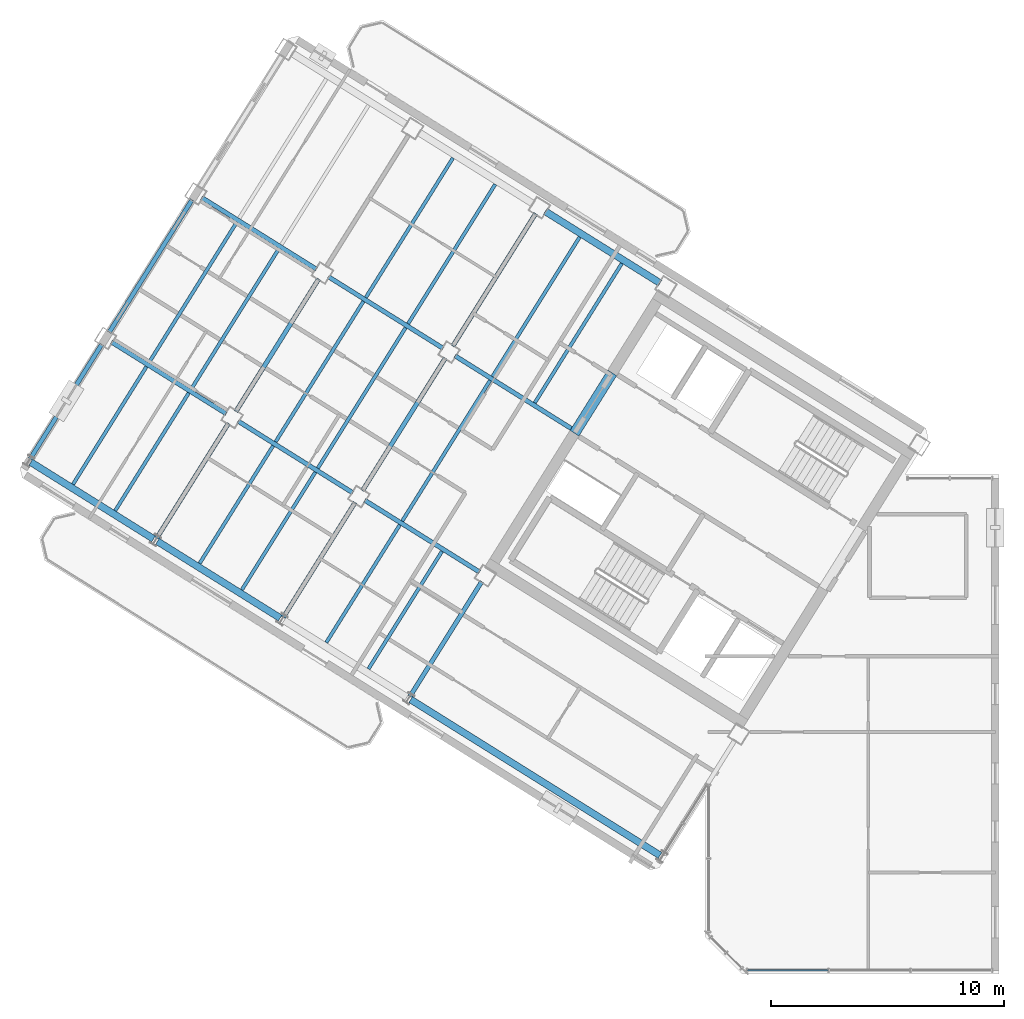
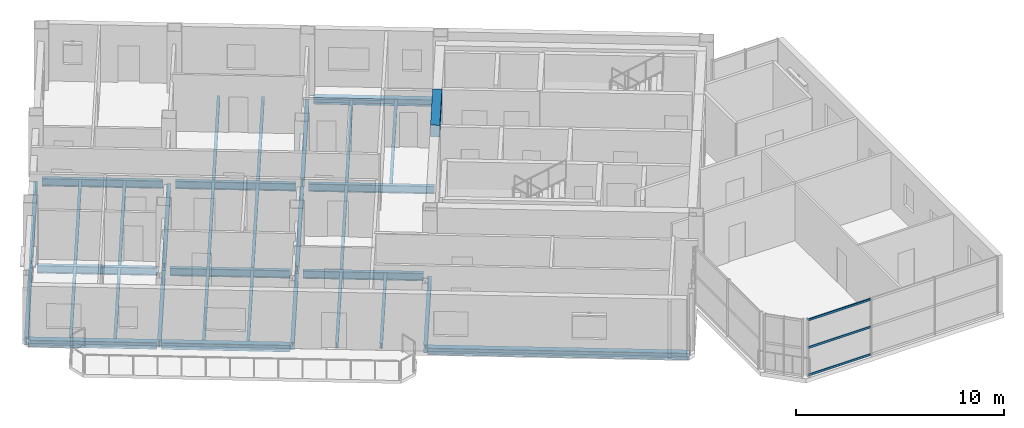
# One storey, part 4 of 15: 34 beams, 3 members, 1 element without a shape of its own.
"""IFC4 building model written with IfcOpenShell, lengths in metres."""

from ifc_helpers import new_model, si_unit, direction, frame, origin, origin_2d, place, context, subcontext, project, spatial, rectangle, hollow_rectangle, i_section, extrude, source, transform, mapped, material, material_profile, profile_set, type_object, element, aggregate, save


model = new_model("IFC4")

# Units and contexts
model_context = context("Model", 3, precision=1e-05, world=origin(), true_north=direction((0.0, 1.0)))
body_context = subcontext(model_context, "Body", "Model", "MODEL_VIEW")
ifc_project = project(units=[si_unit("LENGTHUNIT", "METRE"), si_unit("AREAUNIT", "SQUARE_METRE"), si_unit("VOLUMEUNIT", "CUBIC_METRE"), si_unit("PLANEANGLEUNIT", "RADIAN"), si_unit("MASSUNIT", "GRAM", prefix="KILO")], contexts=[model_context])

# Site, building, storey
site_placement = place(None, origin())
site = spatial("IfcSite", under=ifc_project, at=site_placement, CompositionType="ELEMENT")
building_placement = place(site_placement, origin())
building = spatial("IfcBuilding", under=site, at=building_placement, Name="Tlacorven Tower", CompositionType="ELEMENT")
storey_placement = place(building_placement, frame((0.0, 0.0, 266.39990234375)))
storey = spatial("IfcBuildingStorey", under=building, at=storey_placement, Name="L67", CompositionType="ELEMENT", Elevation=266.39990234375)

# Beams
ifc_material_1 = material(Name="Concrete C60/75", Category="concrete")
ifc_material_profile_1 = material_profile(ifc_material_1, rectangle(XDim=0.449951171875, YDim=0.699951171875, at=origin_2d()), Name="RC 450X700")
ifc_profile_set_1 = profile_set([ifc_material_profile_1], Name="Concrete C60/75")
beam_type_1 = type_object("IfcBeamType", Name="BM-LNT-700", PredefinedType="LINTEL", material=ifc_profile_set_1)
shared_shape_1 = source(origin(), body_context, "Body", "SweptSolid", [
    extrude(rectangle(XDim=0.449951171875, YDim=0.699951171875, at=origin_2d()), origin(), (0.0, 0.0, 1.0), 3.0498046875),
])
beam_1_placement = place(storey_placement, frame((27.622802734375, 27.562255859375, 3.0), z_axis=(-0.529926983584, -0.848043272522, 0.0), x_axis=(0.848043272522, -0.529926983584, 0.0)))
element("IfcBeam", 1, at=beam_1_placement, inside=storey, type_object=beam_type_1, Name="L67 W core coupling lintel beam E2", PredefinedType="LINTEL", context=body_context, shape_type="MappedRepresentation", body=[
    mapped(shared_shape_1, transform((0.0, 0.0, 0.0), scale=1.0)),
])
ifc_material_2 = material(Name="Steel S355J2", Category="steel")
ifc_material_profile_2 = material_profile(ifc_material_2, i_section(OverallWidth=0.300048828125, OverallDepth=0.389892578125, WebThickness=0.010986328125, FlangeThickness=0.01904296875, at=origin_2d()), Name="HEA 400")
ifc_profile_set_2 = profile_set([ifc_material_profile_2], Name="Steel S355J2")
beam_type_2 = type_object("IfcBeamType", Name="BM-SPN-400", PredefinedType="SPANDREL", material=ifc_profile_set_2)
shared_shape_2 = source(origin(), body_context, "Body", "SweptSolid", [
    extrude(i_section(OverallWidth=0.300048828125, OverallDepth=0.389892578125, WebThickness=0.010986328125, FlangeThickness=0.01904296875, at=origin_2d()), origin(), (0.0, 0.0, 1.0), 12.599853515625),
])
beam_2_placement = place(storey_placement, frame((29.67578125, 6.882080078125, -0.44482421875), z_axis=(-0.848045108756, 0.529924045043, 0.0), x_axis=(-0.529924045043, -0.848045108756, 0.0)))
element("IfcBeam", 2, at=beam_2_placement, inside=storey, type_object=beam_type_2, Name="L67 beam BM-L67-WL4-1", PredefinedType="SPANDREL", context=body_context, shape_type="MappedRepresentation", body=[
    mapped(shared_shape_2, transform((0.0, 0.0, 0.0), scale=1.0)),
])
shared_shape_3 = source(origin(), body_context, "Body", "SweptSolid", [
    extrude(i_section(OverallWidth=0.300048828125, OverallDepth=0.389892578125, WebThickness=0.010986328125, FlangeThickness=0.01904296875, at=origin_2d()), origin(), (0.0, 0.0, 1.0), 6.199951171875),
])
for number, where, z_axis, x_axis, name in (
    (3, (13.393310546875, 17.056396484375, -0.44482421875), (-0.848033697614, 0.529942306022, 0.0), (-0.529942306022, -0.848033697614, 0.0), "L67 beam BM-L67-WL4-4"),
    (4, (7.9658203125, 20.447998046875, -0.44482421875), (-0.848051394107, 0.529913986372, 0.0), (-0.529913986372, -0.848051394107, 0.0), "L67 beam BM-L67-WL4-5"),
):
    element("IfcBeam", number, at=place(storey_placement, frame(where, z_axis=z_axis, x_axis=x_axis)), inside=storey, type_object=beam_type_2, Name=name, PredefinedType="SPANDREL", context=body_context, shape_type="MappedRepresentation", body=[
        mapped(shared_shape_3, transform((0.0, 0.0, 0.0), scale=1.0)),
    ])
shared_shape_4 = source(origin(), body_context, "Body", "SweptSolid", [
    extrude(i_section(OverallWidth=0.300048828125, OverallDepth=0.389892578125, WebThickness=0.010986328125, FlangeThickness=0.01904296875, at=origin_2d()), origin(), (0.0, 0.0, 1.0), 5.800048828125),
])
beam_3_placement = place(storey_placement, frame((29.673583984375, 31.410400390625, -0.44482421875), z_axis=(-0.848052689693, 0.529911912967, 0.0), x_axis=(-0.529911912967, -0.848052689693, 0.0)))
element("IfcBeam", 5, at=beam_3_placement, inside=storey, type_object=beam_type_2, Name="L67 beam BM-L67-WL1-3", PredefinedType="SPANDREL", context=body_context, shape_type="MappedRepresentation", body=[
    mapped(shared_shape_4, transform((0.0, 0.0, 0.0), scale=1.0)),
])
ifc_material_profile_3 = material_profile(ifc_material_2, i_section(OverallWidth=0.14990234375, OverallDepth=0.300048828125, WebThickness=0.007080078125, FlangeThickness=0.0107421875, at=origin_2d()), Name="IPE 300")
ifc_profile_set_3 = profile_set([ifc_material_profile_3], Name="Steel S355J2")
beam_type_3 = type_object("IfcBeamType", Name="BM-JST-300", PredefinedType="JOIST", material=ifc_profile_set_3)
shared_shape_5 = source(origin(), body_context, "Body", "SweptSolid", [
    extrude(i_section(OverallWidth=0.14990234375, OverallDepth=0.300048828125, WebThickness=0.007080078125, FlangeThickness=0.0107421875, at=origin_2d()), origin(), (0.0, 0.0, 1.0), 7.10009765625),
])
for number, where, z_axis, x_axis, name in (
    (6, (22.38818359375, 27.23681640625, -0.39990234375), (-0.529915484902, -0.848050457733, 0.0), (0.848050457733, -0.529915484902, 0.0), "L67 beam BM-L67-WJ3-2-2"),
    (7, (11.533203125, 34.019775390625, -0.39990234375), (-0.529915484902, -0.848050457733, 0.0), (0.848050457733, -0.529915484902, 0.0), "L67 beam BM-L67-WJ5-2-2"),
):
    element("IfcBeam", number, at=place(storey_placement, frame(where, z_axis=z_axis, x_axis=x_axis)), inside=storey, type_object=beam_type_3, Name=name, PredefinedType="JOIST", context=body_context, shape_type="MappedRepresentation", body=[
        mapped(shared_shape_5, transform((0.0, 0.0, 0.0), scale=1.0)),
    ])
shared_shape_6 = source(origin(), body_context, "Body", "SweptSolid", [
    extrude(i_section(OverallWidth=0.14990234375, OverallDepth=0.300048828125, WebThickness=0.007080078125, FlangeThickness=0.0107421875, at=origin_2d()), origin(), (0.0, 0.0, 1.0), 7.099853515625),
])
for number, where, z_axis, x_axis, name in (
    (8, (18.769775390625, 29.497802734375, -0.39990234375), (-0.529890754507, -0.848065910344, 0.0), (0.848065910344, -0.529890754507, 0.0), "L67 beam BM-L67-WJ4-2-1"),
    (9, (16.960693359375, 30.628173828125, -0.39990234375), (-0.529930937954, -0.848040801494, 0.0), (0.848040801494, -0.529930937954, 0.0), "L67 beam BM-L67-WJ4-2-2"),
    (10, (13.34228515625, 32.88916015625, -0.39990234375), (-0.529930937954, -0.848040801494, 0.0), (0.848040801494, -0.529930937954, 0.0), "L67 beam BM-L67-WJ5-2-1"),
):
    element("IfcBeam", number, at=place(storey_placement, frame(where, z_axis=z_axis, x_axis=x_axis)), inside=storey, type_object=beam_type_3, Name=name, PredefinedType="JOIST", context=body_context, shape_type="MappedRepresentation", body=[
        mapped(shared_shape_6, transform((0.0, 0.0, 0.0), scale=1.0)),
    ])
shared_shape_7 = source(origin(), body_context, "Body", "SweptSolid", [
    extrude(i_section(OverallWidth=0.14990234375, OverallDepth=0.300048828125, WebThickness=0.007080078125, FlangeThickness=0.0107421875, at=origin_2d()), origin(), (0.0, 0.0, 1.0), 7.044921875),
])
for number, where, z_axis, x_axis, name in (
    (11, (28.03662109375, 32.25048828125, -0.39990234375), (-0.529899256491, -0.848060598053, 0.0), (0.848060598053, -0.529899256491, 0.0), "L67 beam BM-L67-WJ3-1-1"),
    (12, (26.2275390625, 33.380859375, -0.39990234375), (-0.529939753148, -0.848035292917, 0.0), (0.848035292917, -0.529939753148, 0.0), "L67 beam BM-L67-WJ3-1-2"),
    (13, (22.609130859375, 35.641845703125, -0.39990234375), (-0.52991483005, -0.848050866925, 0.0), (0.848050866925, -0.52991483005, 0.0), "L67 beam BM-L67-WJ4-1-1"),
):
    element("IfcBeam", number, at=place(storey_placement, frame(where, z_axis=z_axis, x_axis=x_axis)), inside=storey, type_object=beam_type_3, Name=name, PredefinedType="JOIST", context=body_context, shape_type="MappedRepresentation", body=[
        mapped(shared_shape_7, transform((0.0, 0.0, 0.0), scale=1.0)),
    ])
shared_shape_8 = source(origin(), body_context, "Body", "SweptSolid", [
    extrude(i_section(OverallWidth=0.14990234375, OverallDepth=0.300048828125, WebThickness=0.007080078125, FlangeThickness=0.0107421875, at=origin_2d()), origin(), (0.0, 0.0, 1.0), 5.945068359375),
])
for number, where, z_axis, x_axis, name in (
    (14, (20.3291015625, 19.91552734375, -0.39990234375), (-0.529914037113, -0.848051362401, 0.0), (0.848051362401, -0.529914037113, 0.0), "L67 beam BM-L67-WJ3-3-1"),
    (15, (18.519775390625, 21.046142578125, -0.39990234375), (-0.529914037113, -0.848051362401, 0.0), (0.848051362401, -0.529914037113, 0.0), "L67 beam BM-L67-WJ3-3-2"),
    (16, (14.9013671875, 23.30712890625, -0.39990234375), (-0.529884501938, -0.848069817059, 0.0), (0.848069817059, -0.529884501938, 0.0), "L67 beam BM-L67-WJ4-3-1"),
    (17, (9.473876953125, 26.698486328125, -0.39990234375), (-0.529914037113, -0.848051362401, 0.0), (0.848051362401, -0.529914037113, 0.0), "L67 beam BM-L67-WJ5-3-1"),
    (18, (7.664794921875, 27.8291015625, -0.39990234375), (-0.529914037113, -0.848051362401, 0.0), (0.848051362401, -0.529914037113, 0.0), "L67 beam BM-L67-WJ5-3-2"),
):
    element("IfcBeam", number, at=place(storey_placement, frame(where, z_axis=z_axis, x_axis=x_axis)), inside=storey, type_object=beam_type_3, Name=name, PredefinedType="JOIST", context=body_context, shape_type="MappedRepresentation", body=[
        mapped(shared_shape_8, transform((0.0, 0.0, 0.0), scale=1.0)),
    ])
shared_shape_9 = source(origin(), body_context, "Body", "SweptSolid", [
    extrude(i_section(OverallWidth=0.14990234375, OverallDepth=0.300048828125, WebThickness=0.007080078125, FlangeThickness=0.0107421875, at=origin_2d()), origin(), (0.0, 0.0, 1.0), 7.045166015625),
])
beam_4_placement = place(storey_placement, frame((20.800048828125, 36.7724609375, -0.39990234375), z_axis=(-0.529924179428, -0.848045024782, 0.0), x_axis=(0.848045024782, -0.529924179428, 0.0)))
element("IfcBeam", 19, at=beam_4_placement, inside=storey, type_object=beam_type_3, Name="L67 beam BM-L67-WJ4-1-2", PredefinedType="JOIST", context=body_context, shape_type="MappedRepresentation", body=[
    mapped(shared_shape_9, transform((0.0, 0.0, 0.0), scale=1.0)),
])
shared_shape_10 = source(origin(), body_context, "Body", "SweptSolid", [
    extrude(i_section(OverallWidth=0.14990234375, OverallDepth=0.300048828125, WebThickness=0.007080078125, FlangeThickness=0.0107421875, at=origin_2d()), origin(), (0.0, 0.0, 1.0), 5.94482421875),
])
beam_5_placement = place(storey_placement, frame((13.09228515625, 24.4375, -0.39990234375), z_axis=(-0.529932492401, -0.848039830136, 0.0), x_axis=(0.848039830136, -0.529932492401, 0.0)))
element("IfcBeam", 20, at=beam_5_placement, inside=storey, type_object=beam_type_3, Name="L67 beam BM-L67-WJ4-3-2", PredefinedType="JOIST", context=body_context, shape_type="MappedRepresentation", body=[
    mapped(shared_shape_10, transform((0.0, 0.0, 0.0), scale=1.0)),
])
ifc_material_profile_4 = material_profile(ifc_material_2, i_section(OverallWidth=0.18994140625, OverallDepth=0.449951171875, WebThickness=0.009521484375, FlangeThickness=0.0146484375, at=origin_2d()), Name="IPE 450")
ifc_profile_set_4 = profile_set([ifc_material_profile_4], Name="Steel S355J2")
beam_type_4 = type_object("IfcBeamType", Name="BM-TWR-450", PredefinedType="BEAM", material=ifc_profile_set_4)
shared_shape_11 = source(origin(), body_context, "Body", "SweptSolid", [
    extrude(i_section(OverallWidth=0.18994140625, OverallDepth=0.449951171875, WebThickness=0.009521484375, FlangeThickness=0.0146484375, at=origin_2d()), origin(), (0.0, 0.0, 1.0), 6.06005859375),
])
beam_6_placement = place(storey_placement, frame((26.025634765625, 25.081787109375, -0.474853515625), z_axis=(-0.848039041052, 0.529933755154, 0.0), x_axis=(-0.529933755154, -0.848039041052, 0.0)))
element("IfcBeam", 21, at=beam_6_placement, inside=storey, type_object=beam_type_4, Name="L67 beam BM-L67-WL2-3", PredefinedType="BEAM", context=body_context, shape_type="MappedRepresentation", body=[
    mapped(shared_shape_11, transform((0.0, 0.0, 0.0), scale=1.0)),
])
shared_shape_12 = source(origin(), body_context, "Body", "SweptSolid", [
    extrude(i_section(OverallWidth=0.18994140625, OverallDepth=0.449951171875, WebThickness=0.009521484375, FlangeThickness=0.0146484375, at=origin_2d()), origin(), (0.0, 0.0, 1.0), 5.800048828125),
])
for number, where, z_axis, x_axis, name in (
    (22, (20.377685546875, 28.611083984375, -0.474853515625), (-0.848052689693, 0.529911912967, 0.0), (-0.529911912967, -0.848052689693, 0.0), "L67 beam BM-L67-WL2-4"),
    (23, (14.9501953125, 32.00244140625, -0.474853515625), (-0.848033773154, 0.52994218514, 0.0), (-0.52994218514, -0.848033773154, 0.0), "L67 beam BM-L67-WL2-5"),
    (24, (21.936767578125, 19.02880859375, -0.474853515625), (-0.848052689693, 0.529911912967, 0.0), (-0.529911912967, -0.848052689693, 0.0), "L67 beam BM-L67-WL3-3"),
    (25, (16.50927734375, 22.42041015625, -0.474853515625), (-0.848052689693, 0.529911912967, 0.0), (-0.529911912967, -0.848052689693, 0.0), "L67 beam BM-L67-WL3-4"),
    (26, (11.081787109375, 25.811767578125, -0.474853515625), (-0.848052689693, 0.529911912967, 0.0), (-0.529911912967, -0.848052689693, 0.0), "L67 beam BM-L67-WL3-5"),
    (27, (22.0322265625, 18.615478515625, -0.474853515625), (-0.52994218514, -0.848033773154, 0.0), (0.848033773154, -0.52994218514, 0.0), "L67 beam BM-L67-WT3-2"),
    (28, (16.604736328125, 22.0068359375, -0.474853515625), (-0.52994218514, -0.848033773154, 0.0), (0.848033773154, -0.52994218514, 0.0), "L67 beam BM-L67-WT4-3"),
    (29, (11.17724609375, 25.3984375, -0.474853515625), (-0.52994218514, -0.848033773154, 0.0), (0.848033773154, -0.52994218514, 0.0), "L67 beam BM-L67-WT5-3"),
    (30, (5.74951171875, 28.789794921875, -0.474853515625), (-0.529911912967, -0.848052689693, 0.0), (0.848052689693, -0.529911912967, 0.0), "L67 beam BM-L67-WT6-3"),
):
    element("IfcBeam", number, at=place(storey_placement, frame(where, z_axis=z_axis, x_axis=x_axis)), inside=storey, type_object=beam_type_4, Name=name, PredefinedType="BEAM", context=body_context, shape_type="MappedRepresentation", body=[
        mapped(shared_shape_12, transform((0.0, 0.0, 0.0), scale=1.0)),
    ])
shared_shape_13 = source(origin(), body_context, "Body", "SweptSolid", [
    extrude(i_section(OverallWidth=0.18994140625, OverallDepth=0.449951171875, WebThickness=0.009521484375, FlangeThickness=0.0146484375, at=origin_2d()), origin(), (0.0, 0.0, 1.0), 6.699951171875),
])
for number, where, z_axis, x_axis, name in (
    (31, (24.341552734375, 34.388427734375, -0.474853515625), (-0.529930154818, -0.848041290867, 0.0), (0.848041290867, -0.529930154818, 0.0), "L67 beam BM-L67-WT4-1"),
    (32, (20.47314453125, 28.19775390625, -0.474853515625), (-0.529930154818, -0.848041290867, 0.0), (0.848041290867, -0.529930154818, 0.0), "L67 beam BM-L67-WT4-2"),
    (33, (15.045654296875, 31.589111328125, -0.474853515625), (-0.529930154818, -0.848041290867, 0.0), (0.848041290867, -0.529930154818, 0.0), "L67 beam BM-L67-WT5-2"),
    (34, (9.617919921875, 34.980712890625, -0.474853515625), (-0.529903948186, -0.848057666493, 0.0), (0.848057666493, -0.529903948186, 0.0), "L67 beam BM-L67-WT6-2"),
):
    element("IfcBeam", number, at=place(storey_placement, frame(where, z_axis=z_axis, x_axis=x_axis)), inside=storey, type_object=beam_type_4, Name=name, PredefinedType="BEAM", context=body_context, shape_type="MappedRepresentation", body=[
        mapped(shared_shape_13, transform((0.0, 0.0, 0.0), scale=1.0)),
    ])

# Curtain wall, members
ifc_material_3 = material(Name="Dark solar low-E double glazing in aluminium frame", Category="aluminium")
curtain_wall_type = type_object("IfcCurtainWallType", Name="CW-TWR-HIGH", PredefinedType="USERDEFINED", material=ifc_material_3)
curtain_wall_placement = place(storey_placement, origin())
curtain_wall = element("IfcCurtainWall", 35, at=curtain_wall_placement, inside=storey, type_object=curtain_wall_type, Name="L67 CW-TWR-HIGH Curtain Wall 309", ObjectType="UNITISED CURTAIN WALL", PredefinedType="USERDEFINED")
ifc_material_4 = material(Name="Aluminium 6063-T6 anodised", Category="aluminium")
ifc_material_profile_5 = material_profile(ifc_material_4, hollow_rectangle(XDim=0.054931640625, YDim=0.1201171875, WallThickness=0.00341796875, at=origin_2d()), Name="ALU TRANSOM 55X120")
ifc_profile_set_5 = profile_set([ifc_material_profile_5], Name="Aluminium 6063-T6 anodised")
member_type = type_object("IfcMemberType", Name="CWT-03", PredefinedType="USERDEFINED", material=ifc_profile_set_5)
shared_shape_14 = source(origin(), body_context, "Body", "SweptSolid", [
    extrude(hollow_rectangle(XDim=0.054931640625, YDim=0.1201171875, WallThickness=0.00341796875, at=origin_2d()), origin(), (0.0, 0.0, 1.0), 3.45849609375),
])
member_1_placement = place(storey_placement, frame((36.872802734375, 1.9599609375, 0.06005859375), z_axis=(-1.0, 0.0, 0.0), x_axis=(0.0, -1.0, 0.0)))
member_1 = element("IfcMember", 36, at=member_1_placement, type_object=member_type, Name="CW-L67-309 Transom 7", ObjectType="TRANSOM", PredefinedType="USERDEFINED", context=body_context, shape_type="MappedRepresentation", body=[
    mapped(shared_shape_14, transform((0.0, 0.0, 0.0), scale=1.0)),
])
member_2_placement = place(storey_placement, frame((36.872802734375, 1.9599609375, 1.675048828125), z_axis=(-1.0, 0.0, 0.0), x_axis=(0.0, -1.0, 0.0)))
member_2 = element("IfcMember", 37, at=member_2_placement, type_object=member_type, Name="CW-L67-309 Transom 8", ObjectType="TRANSOM", PredefinedType="USERDEFINED", context=body_context, shape_type="MappedRepresentation", body=[
    mapped(shared_shape_14, transform((0.0, 0.0, 0.0), scale=1.0)),
])
member_3_placement = place(storey_placement, frame((36.872802734375, 1.9599609375, 3.2900390625), z_axis=(-1.0, 0.0, 0.0), x_axis=(0.0, -1.0, 0.0)))
member_3 = element("IfcMember", 38, at=member_3_placement, type_object=member_type, Name="CW-L67-309 Transom 9", ObjectType="TRANSOM", PredefinedType="USERDEFINED", context=body_context, shape_type="MappedRepresentation", body=[
    mapped(shared_shape_14, transform((0.0, 0.0, 0.0), scale=1.0)),
])
aggregate(curtain_wall, [member_1, member_2, member_3])

save(model, "model.ifc")
